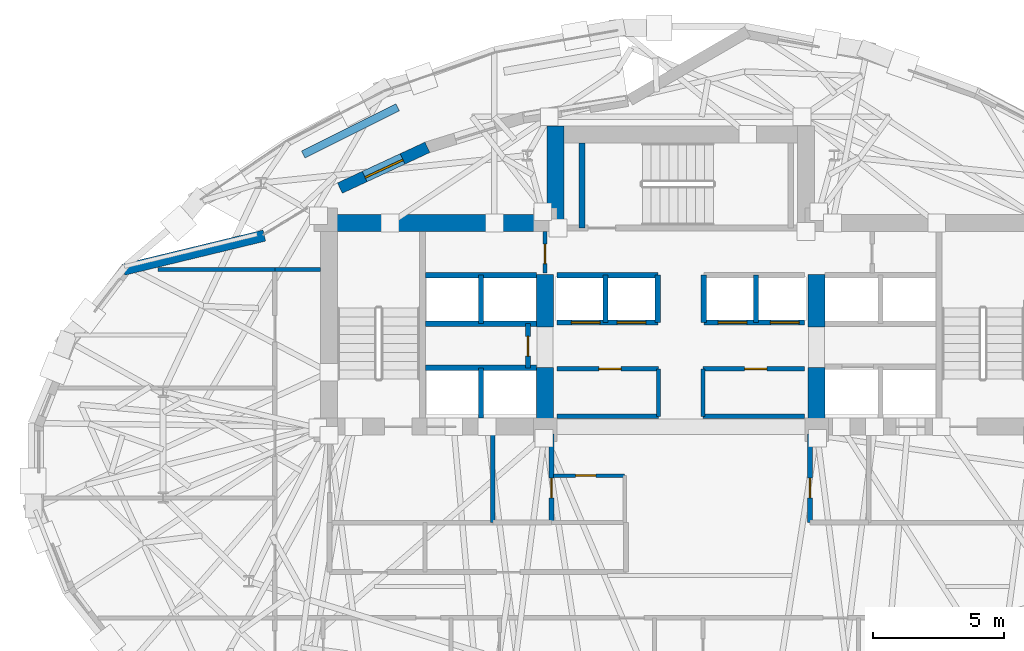
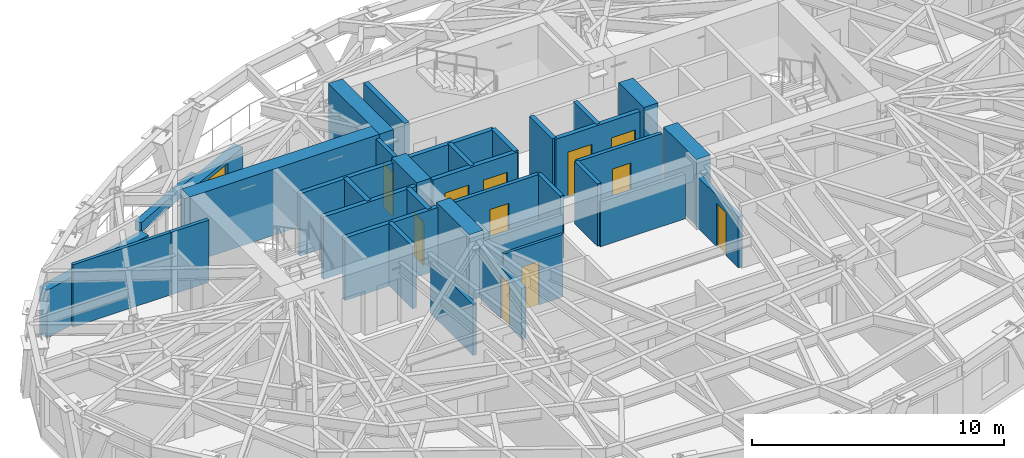
# One storey, part 8 of 14: 36 walls, 11 doors, 1 window, 12 openings.
"""IFC4 building model written with IfcOpenShell, lengths in metres."""

import ifcopenshell
import ifcopenshell.guid

model = None  # the IFC model being written
_history = None  # IfcOwnerHistory: only IFC2X3 demands one
_inside = {}  # id of a spatial element -> (the spatial element, [elements in it])
_under = {}  # id of a project, library or spatial element -> (it, [spatial elements below it])
_declared = {}  # id of a project -> (the project, [libraries it declares])
_typed = {}  # id of a type object -> (the type object, [elements of that type])
_made_of = {}  # id of a material, layer set ... -> (it, [elements and type objects made of it])


def new_model(schema):
    """Start an empty IFC model of exactly this schema.

    Asked for "IFC4X3", IfcOpenShell would pick the latest addendum, in which some entities
    have other attributes; the version numbers below select the first issue.
    IFC2X3 requires an IfcOwnerHistory on every rooted entity: one is made here for all.
    """
    global model, _history
    if schema == "IFC4X3":
        model = ifcopenshell.file(schema_version=(4, 3, 0, 0))
    else:
        model = ifcopenshell.file(schema=schema)
    _inside.clear()
    _under.clear()
    _declared.clear()
    _typed.clear()
    _made_of.clear()
    _history = None
    if model.schema == "IFC2X3":
        org = make("IfcOrganization", Name="unknown")
        user = make(
            "IfcPersonAndOrganization",
            ThePerson=make("IfcPerson", FamilyName="unknown"),
            TheOrganization=org,
        )
        app = make(
            "IfcApplication",
            ApplicationDeveloper=org,
            Version="unknown",
            ApplicationFullName="unknown",
            ApplicationIdentifier="unknown",
        )
        _history = make(
            "IfcOwnerHistory",
            OwningUser=user,
            OwningApplication=app,
            ChangeAction="ADDED",
            CreationDate=0,
        )
    return model


def make(cls, **values):
    """One entity of the class cls with the attributes given. An attribute that is None is left unset."""
    return model.create_entity(
        cls, **{name: value for name, value in values.items() if value is not None}
    )


def rooted(cls, **values):
    """An entity with a GlobalId (a new one), such as an element, a storey or a relation."""
    return make(cls, GlobalId=ifcopenshell.guid.new(), OwnerHistory=_history, **values)


def si_unit(unit_type, name, prefix=None):
    """IfcSIUnit, for example si_unit("LENGTHUNIT", "METRE", prefix="MILLI")."""
    return make("IfcSIUnit", UnitType=unit_type, Prefix=prefix, Name=name)


def assignment(units):
    """IfcUnitAssignment: the units of a project."""
    return None if units is None else make("IfcUnitAssignment", Units=units)


def point(xyz):
    """IfcCartesianPoint."""
    return None if xyz is None else make("IfcCartesianPoint", Coordinates=xyz)


def direction(xyz):
    """IfcDirection."""
    return None if xyz is None else make("IfcDirection", DirectionRatios=xyz)


def frame(location, z_axis=None, x_axis=None):
    """IfcAxis2Placement3D, a coordinate frame: its origin and axes. An axis left out is left unset."""
    return make(
        "IfcAxis2Placement3D",
        Location=point(location),
        Axis=direction(z_axis),
        RefDirection=direction(x_axis),
    )


def frame_2d(location, x_axis=None):
    """IfcAxis2Placement2D, a coordinate frame in the plane: its origin and x axis."""
    return make(
        "IfcAxis2Placement2D", Location=point(location), RefDirection=direction(x_axis)
    )


def origin():
    """The frame at (0, 0, 0) with its axes left unset."""
    return frame((0.0, 0.0, 0.0))


def place(relative_to, where):
    """IfcLocalPlacement: puts the frame where relative to a parent placement (None: the world)."""
    return make(
        "IfcLocalPlacement", PlacementRelTo=relative_to, RelativePlacement=where
    )


def context(
    kind, dimensions, precision=None, world=None, true_north=None, identifier=None
):
    """IfcGeometricRepresentationContext, for example the 3D "Model" context."""
    return make(
        "IfcGeometricRepresentationContext",
        ContextIdentifier=identifier,
        ContextType=kind,
        CoordinateSpaceDimension=dimensions,
        Precision=precision,
        WorldCoordinateSystem=world,
        TrueNorth=true_north,
    )


def subcontext(parent, identifier, kind, view, scale=None):
    """IfcGeometricRepresentationSubContext, for example "Body" below "Model"."""
    return make(
        "IfcGeometricRepresentationSubContext",
        ContextIdentifier=identifier,
        ContextType=kind,
        ParentContext=parent,
        TargetScale=scale,
        TargetView=view,
    )


def project(units=None, contexts=None):
    """IfcProject with its units and contexts."""
    return rooted(
        "IfcProject",
        Name="project",
        RepresentationContexts=contexts,
        UnitsInContext=assignment(units),
    )


def spatial(cls, under=None, at=None, **own):
    """A site, building, storey or space (cls), placed at a placement, below another one or the project."""
    s = rooted(cls, ObjectPlacement=at, **own)
    if under is not None:
        _under.setdefault(under.id(), (under, []))[1].append(s)
    return s


def profile(cls, at=None, kind="AREA", **sizes):
    """A parametric profile (cls). Its sizes go by their IFC names, for example OverallWidth=200.0."""
    return make(cls, ProfileType=kind, Position=at, **sizes)


def rectangle(**sizes):
    """IfcRectangleProfileDef."""
    return profile("IfcRectangleProfileDef", **sizes)


def extrude(swept, where, along, depth):
    """IfcExtrudedAreaSolid: the profile swept, set in the frame where, extruded along a direction by depth."""
    return make(
        "IfcExtrudedAreaSolid",
        SweptArea=swept,
        Position=where,
        ExtrudedDirection=direction(along),
        Depth=depth,
    )


def shape(context_of_items, identifier, shape_type, items):
    """IfcShapeRepresentation: the items that make up one representation, for example the "Body"."""
    return make(
        "IfcShapeRepresentation",
        ContextOfItems=context_of_items,
        RepresentationIdentifier=identifier,
        RepresentationType=shape_type,
        Items=items,
    )


def material(Name=None, Category=None):
    """IfcMaterial."""
    return make("IfcMaterial", Name=Name, Category=Category)


def layer(
    of_material, thickness, ventilated=None, Name=None, Category=None, Priority=None
):
    """IfcMaterialLayer: one layer of a wall or slab, of a material (None: an air gap)."""
    return make(
        "IfcMaterialLayer",
        Material=of_material,
        LayerThickness=thickness,
        IsVentilated=ventilated,
        Name=Name,
        Category=Category,
        Priority=Priority,
    )


def layer_set(layers, Name=None):
    """IfcMaterialLayerSet."""
    return make("IfcMaterialLayerSet", MaterialLayers=layers, LayerSetName=Name)


def made_of(thing, what):
    """Note that an element or type object is made of a material, layer set ...; save() writes the relation."""
    if what is not None:
        _made_of.setdefault(what.id(), (what, []))[1].append(thing)
    return thing


def type_object(cls, material=None, **own):
    """A type object (cls), such as IfcWallType, which elements share."""
    return made_of(rooted(cls, **own), material)


def element(
    cls,
    number,
    at=None,
    inside=None,
    cuts=None,
    type_object=None,
    material=None,
    context=None,
    identifier="Body",
    shape_type=None,
    held_by="IfcProductDefinitionShape",
    body=None,
    shapes=None,
    **own,
):
    """One element of the class cls, such as IfcWall. Its Tag is "e" and its number.

    at: its placement. inside: the storey or other place that contains it. cuts: it is an
    opening in that element (IfcRelVoidsElement). A single representation is given by context,
    identifier, shape_type and body (its items); several are given by shapes. held_by: the class
    of the entity that holds the representations. save() writes the other relations.
    """
    e = rooted(cls, Tag="e%d" % number, ObjectPlacement=at, **own)
    if body is not None:
        shapes = [shape(context, identifier, shape_type, body)]
    if shapes is not None:
        e.Representation = make(held_by, Representations=shapes)
    if inside is not None:
        _inside.setdefault(inside.id(), (inside, []))[1].append(e)
    if cuts is not None:
        rooted(
            "IfcRelVoidsElement", RelatingBuildingElement=cuts, RelatedOpeningElement=e
        )
    if type_object is not None:
        _typed.setdefault(type_object.id(), (type_object, []))[1].append(e)
    return made_of(e, material)


def fill(opening, filler):
    """IfcRelFillsElement: the door or window that sits in an opening."""
    return rooted(
        "IfcRelFillsElement",
        RelatingOpeningElement=opening,
        RelatedBuildingElement=filler,
    )


def aggregate(whole, parts):
    """IfcRelAggregates: a whole, such as a stair, and the parts it consists of."""
    return rooted("IfcRelAggregates", RelatingObject=whole, RelatedObjects=parts)


def save(model, path):
    """Write the relations noted so far, then the file.

    IfcRelAggregates (storeys below a building ...), IfcRelContainedInSpatialStructure (elements
    in a storey), IfcRelDefinesByType, IfcRelAssociatesMaterial and IfcRelDeclares: one each for
    every whole, place, type object, material and project.
    """
    for whole, parts in _under.values():
        aggregate(whole, parts)
    for where, things in _inside.values():
        rooted(
            "IfcRelContainedInSpatialStructure",
            RelatedElements=things,
            RelatingStructure=where,
        )
    for kind, things in _typed.values():
        rooted("IfcRelDefinesByType", RelatedObjects=things, RelatingType=kind)
    for what, things in _made_of.values():
        rooted("IfcRelAssociatesMaterial", RelatedObjects=things, RelatingMaterial=what)
    for by, libraries in _declared.values():
        rooted("IfcRelDeclares", RelatingContext=by, RelatedDefinitions=libraries)
    model.write(path)


model = new_model("IFC4")

# Units and contexts
model_context = context("Model", 3, precision=1e-05, world=origin(), true_north=direction((0.0, 1.0)))
body_context = subcontext(model_context, "Body", "Model", "MODEL_VIEW")
ifc_project = project(units=[si_unit("LENGTHUNIT", "METRE"), si_unit("AREAUNIT", "SQUARE_METRE"), si_unit("VOLUMEUNIT", "CUBIC_METRE"), si_unit("PLANEANGLEUNIT", "RADIAN"), si_unit("MASSUNIT", "GRAM", prefix="KILO")], contexts=[model_context])

# Site, building, storey
site_placement = place(None, origin())
site = spatial("IfcSite", under=ifc_project, at=site_placement, CompositionType="ELEMENT")
building_placement = place(site_placement, origin())
building = spatial("IfcBuilding", under=site, at=building_placement, Name="Keldmark Tower", CompositionType="ELEMENT")
storey_placement = place(building_placement, frame((0.0, 0.0, 175.800048828125)))
storey = spatial("IfcBuildingStorey", under=building, at=storey_placement, Name="L48", CompositionType="ELEMENT", Elevation=175.800048828125)

# Wall, opening, door
ifc_material_1 = material(Name="Acoustic Gypsum Board Interior Partition", Category="gypsum")
ifc_layer_1 = layer(ifc_material_1, 0.1298828125)
ifc_layer_set_1 = layer_set([ifc_layer_1], Name="Acoustic Gypsum Board Interior Partition")
wall_type_1 = type_object("IfcWallType", Name="Interior Partition 130 mm", PredefinedType="PARTITIONING", material=ifc_layer_set_1)
wall_1_placement = place(storey_placement, frame((-4.8798828125, -0.35009765625, 0.0), z_axis=(0.0, 0.0, 1.0), x_axis=(1.0, 0.0, 0.0)))
wall_1 = element("IfcWall", 1, at=wall_1_placement, inside=storey, type_object=wall_type_1, Name="L48 Interior Partition 130 mm CSC-W-N", PredefinedType="PARTITIONING", context=body_context, shape_type="SweptSolid", body=[
    extrude(rectangle(XDim=2.72998046875, YDim=0.1298828125, at=frame_2d((1.364990234375, 0.0))), origin(), (0.0, 0.0, 1.0), 3.02001953125),
])
opening_1_placement = place(wall_1_placement, frame((0.85009765625, 0.0, 0.0)))
opening_1 = element("IfcOpeningElement", 2, at=opening_1_placement, cuts=wall_1, Name="Opening D-CL078", PredefinedType="OPENING", context=body_context, shape_type="SweptSolid", body=[
    extrude(rectangle(XDim=0.780029296875, YDim=2.10009765625, at=frame_2d((0.39013671875, 1.050048828125))), frame((0.0, 0.074951171875, 0.0), z_axis=(0.0, -1.0, 0.0), x_axis=(1.0, 0.0, 0.0)), (0.0, 0.0, 1.0), 0.14990234375),
])
ifc_material_2 = material(Name="Flush Utility Closet Timber Door", Category="wood")
door_type_1 = type_object("IfcDoorType", Name="Closet Door 780x2100", OperationType="NOTDEFINED", PredefinedType="DOOR", material=ifc_material_2)
door_1_placement = place(opening_1_placement, origin())
door_1 = element("IfcDoor", 3, at=door_1_placement, inside=storey, type_object=door_type_1, Name="L48 Closet Door 780x2100 D-CSCW1-L48", OperationType="SINGLE_SWING_LEFT", OverallHeight=2.10009765625, OverallWidth=0.780029296875, PredefinedType="DOOR", context=body_context, shape_type="SweptSolid", body=[
    extrude(rectangle(XDim=0.780029296875, YDim=2.10009765625, at=frame_2d((0.39013671875, 1.050048828125))), frame((0.0, 0.02490234375, 0.0), z_axis=(0.0, -1.0, 0.0), x_axis=(1.0, 0.0, 0.0)), (0.0, 0.0, 1.0), 0.050048828125),
])
fill(opening_1, door_1)

# Walls
ifc_material_3 = material(Name="Type X Fire-Rated Gypsum Partition Assembly", Category="gypsum")
ifc_layer_2 = layer(ifc_material_3, 0.1650390625)
ifc_layer_set_2 = layer_set([ifc_layer_2], Name="Type X Fire-Rated Gypsum Partition Assembly")
wall_type_2 = type_object("IfcWallType", Name="Rated Partition 165 mm", PredefinedType="PARTITIONING", material=ifc_layer_set_2)
wall_2_placement = place(storey_placement, frame((-7.199951171875, -2.14990234375, 0.0), z_axis=(0.0, 0.0, 1.0), x_axis=(0.0, 1.0, 0.0)))
element("IfcWall", 4, at=wall_2_placement, inside=storey, type_object=wall_type_2, Name="L48 Rated Partition 165 mm FSAE-W-E", PredefinedType="PARTITIONING", context=body_context, shape_type="SweptSolid", body=[
    extrude(rectangle(XDim=3.39990234375, YDim=0.1650390625, at=frame_2d((1.699951171875, 0.0))), origin(), (0.0, 0.0, 1.0), 2.472900390625),
])
wall_3_placement = place(storey_placement, frame((-4.739990234375, 1.919921875, 0.0), z_axis=(0.0, 0.0, 1.0), x_axis=(1.0, 0.0, 0.0)))
element("IfcWall", 5, at=wall_3_placement, inside=storey, type_object=wall_type_2, Name="L48 Rated Partition 165 mm REC-LW-S", PredefinedType="PARTITIONING", context=body_context, shape_type="SweptSolid", body=[
    extrude(rectangle(XDim=3.889892578125, YDim=0.1650390625, at=frame_2d((1.94482421875, 0.0))), origin(), (0.0, 0.0, 1.0), 2.159912109375),
])

# Wall, opening, door
wall_4_placement = place(storey_placement, frame((-4.739990234375, 3.739990234375, 0.0), z_axis=(0.0, 0.0, 1.0), x_axis=(1.0, 0.0, 0.0)))
wall_4 = element("IfcWall", 6, at=wall_4_placement, inside=storey, type_object=wall_type_2, Name="L48 Rated Partition 165 mm REC-LW-N", PredefinedType="PARTITIONING", context=body_context, shape_type="SweptSolid", body=[
    extrude(rectangle(XDim=3.889892578125, YDim=0.1650390625, at=frame_2d((1.94482421875, 0.0))), origin(), (0.0, 0.0, 1.0), 3.02001953125),
])
opening_2_placement = place(wall_4_placement, frame((1.60009765625, 0.0, 0.0)))
opening_2 = element("IfcOpeningElement", 7, at=opening_2_placement, cuts=wall_4, Name="Opening D-SV085", PredefinedType="OPENING", context=body_context, shape_type="SweptSolid", body=[
    extrude(rectangle(XDim=0.85009765625, YDim=2.10009765625, at=frame_2d((0.425048828125, 1.050048828125))), frame((0.0, 0.092529296875, 0.0), z_axis=(0.0, -1.0, 0.0), x_axis=(1.0, 0.0, 0.0)), (0.0, 0.0, 1.0), 0.18505859375),
])
ifc_material_4 = material(Name="Painted Hollow Metal Door Assembly", Category="metal")
door_type_2 = type_object("IfcDoorType", Name="Service Door 850x2100", OperationType="NOTDEFINED", PredefinedType="DOOR", material=ifc_material_4)
door_2_placement = place(opening_2_placement, origin())
door_2 = element("IfcDoor", 8, at=door_2_placement, inside=storey, type_object=door_type_2, Name="L48 Service Door 850x2100 D-RECLW1-L48", OperationType="SINGLE_SWING_LEFT", OverallHeight=2.10009765625, OverallWidth=0.85009765625, PredefinedType="DOOR", context=body_context, shape_type="SweptSolid", body=[
    extrude(rectangle(XDim=0.85009765625, YDim=2.10009765625, at=frame_2d((0.425048828125, 1.050048828125))), frame((0.0, 0.02490234375, 0.0), z_axis=(0.0, -1.0, 0.0), x_axis=(1.0, 0.0, 0.0)), (0.0, 0.0, 1.0), 0.050048828125),
])
fill(opening_2, door_2)

# Walls
wall_5_placement = place(storey_placement, frame((-0.85009765625, 1.919921875, 0.0), z_axis=(0.0, 0.0, 1.0), x_axis=(0.0, 1.0, 0.0)))
element("IfcWall", 9, at=wall_5_placement, inside=storey, type_object=wall_type_2, Name="L48 Rated Partition 165 mm REC-LW-E", PredefinedType="PARTITIONING", context=body_context, shape_type="SweptSolid", body=[
    extrude(rectangle(XDim=1.820068359375, YDim=0.1650390625, at=frame_2d((0.91015625, 0.0))), origin(), (0.0, 0.0, 1.0), 3.02001953125),
])
wall_6_placement = place(storey_placement, frame((0.85009765625, 1.919921875, 0.0), z_axis=(0.0, 0.0, 1.0), x_axis=(1.0, 0.0, 0.0)))
element("IfcWall", 10, at=wall_6_placement, inside=storey, type_object=wall_type_2, Name="L48 Rated Partition 165 mm REC-LE-S", PredefinedType="PARTITIONING", context=body_context, shape_type="SweptSolid", body=[
    extrude(rectangle(XDim=3.889892578125, YDim=0.1650390625, at=frame_2d((1.94482421875, 0.0))), origin(), (0.0, 0.0, 1.0), 2.159912109375),
])

# Wall, opening, door
wall_7_placement = place(storey_placement, frame((0.85009765625, 3.739990234375, 0.0), z_axis=(0.0, 0.0, 1.0), x_axis=(1.0, 0.0, 0.0)))
wall_7 = element("IfcWall", 11, at=wall_7_placement, inside=storey, type_object=wall_type_2, Name="L48 Rated Partition 165 mm REC-LE-N", PredefinedType="PARTITIONING", context=body_context, shape_type="SweptSolid", body=[
    extrude(rectangle(XDim=3.889892578125, YDim=0.1650390625, at=frame_2d((1.94482421875, 0.0))), origin(), (0.0, 0.0, 1.0), 3.02001953125),
])
opening_3_placement = place(wall_7_placement, frame((1.60009765625, 0.0, 0.0)))
opening_3 = element("IfcOpeningElement", 12, at=opening_3_placement, cuts=wall_7, Name="Opening D-SV085", PredefinedType="OPENING", context=body_context, shape_type="SweptSolid", body=[
    extrude(rectangle(XDim=0.85009765625, YDim=2.10009765625, at=frame_2d((0.425048828125, 1.050048828125))), frame((0.0, 0.092529296875, 0.0), z_axis=(0.0, -1.0, 0.0), x_axis=(1.0, 0.0, 0.0)), (0.0, 0.0, 1.0), 0.18505859375),
])
door_3_placement = place(opening_3_placement, origin())
door_3 = element("IfcDoor", 13, at=door_3_placement, inside=storey, type_object=door_type_2, Name="L48 Service Door 850x2100 D-RECLE1-L48", OperationType="SINGLE_SWING_RIGHT", OverallHeight=2.10009765625, OverallWidth=0.85009765625, PredefinedType="DOOR", context=body_context, shape_type="SweptSolid", body=[
    extrude(rectangle(XDim=0.85009765625, YDim=2.10009765625, at=frame_2d((0.425048828125, 1.050048828125))), frame((0.0, 0.02490234375, 0.0), z_axis=(0.0, -1.0, 0.0), x_axis=(1.0, 0.0, 0.0)), (0.0, 0.0, 1.0), 0.050048828125),
])
fill(opening_3, door_3)

# Wall
wall_8_placement = place(storey_placement, frame((0.85009765625, 1.919921875, 0.0), z_axis=(0.0, 0.0, 1.0), x_axis=(0.0, 1.0, 0.0)))
element("IfcWall", 14, at=wall_8_placement, inside=storey, type_object=wall_type_2, Name="L48 Rated Partition 165 mm REC-LE-W", PredefinedType="PARTITIONING", context=body_context, shape_type="SweptSolid", body=[
    extrude(rectangle(XDim=1.820068359375, YDim=0.1650390625, at=frame_2d((0.91015625, 0.0))), origin(), (0.0, 0.0, 1.0), 3.02001953125),
])

# Wall, opening, door
wall_9_placement = place(storey_placement, frame((-5.199951171875, 7.419921875, 0.0), z_axis=(0.0, 0.0, 1.0), x_axis=(0.0, 1.0, 0.0)))
wall_9 = element("IfcWall", 15, at=wall_9_placement, inside=storey, type_object=wall_type_2, Name="L48 Rated Partition 165 mm CS-NW-E", PredefinedType="PARTITIONING", context=body_context, shape_type="SweptSolid", body=[
    extrude(rectangle(XDim=1.580078125, YDim=0.1650390625, at=frame_2d((0.7900390625, 0.0))), origin(), (0.0, 0.0, 1.0), 3.02001953125),
])
opening_4_placement = place(wall_9_placement, frame((0.35009765625, 0.0, 0.0)))
opening_4 = element("IfcOpeningElement", 16, at=opening_4_placement, cuts=wall_9, Name="Opening D-RS075", PredefinedType="OPENING", context=body_context, shape_type="SweptSolid", body=[
    extrude(rectangle(XDim=0.75, YDim=2.10009765625, at=frame_2d((0.375, 1.050048828125))), frame((0.0, 0.092529296875, 0.0), z_axis=(0.0, -1.0, 0.0), x_axis=(1.0, 0.0, 0.0)), (0.0, 0.0, 1.0), 0.18505859375),
])
ifc_material_5 = material(Name="Galvanized Fire-Rated Access Leaf", Category="metal")
door_type_3 = type_object("IfcDoorType", Name="Riser Access Door 750x2100", OperationType="NOTDEFINED", PredefinedType="DOOR", material=ifc_material_5)
door_4_placement = place(opening_4_placement, origin())
door_4 = element("IfcDoor", 17, at=door_4_placement, inside=storey, type_object=door_type_3, Name="L48 Riser Access Door 750x2100 D-CSNW1-L48", OperationType="SINGLE_SWING_LEFT", OverallHeight=2.10009765625, OverallWidth=0.75, PredefinedType="DOOR", context=body_context, shape_type="SweptSolid", body=[
    extrude(rectangle(XDim=0.75, YDim=2.10009765625, at=frame_2d((0.375, 1.050048828125))), frame((0.0, 0.02490234375, 0.0), z_axis=(0.0, -1.0, 0.0), x_axis=(1.0, 0.0, 0.0)), (0.0, 0.0, 1.0), 0.050048828125),
])
fill(opening_4, door_4)

# Wall
wall_10_placement = place(storey_placement, frame((-15.550048828125, 7.550048828125, 0.0), z_axis=(0.0, 0.0, 1.0), x_axis=(1.0, 0.0, 0.0)))
element("IfcWall", 18, at=wall_10_placement, inside=storey, type_object=wall_type_2, Name="L48 Rated Partition 165 mm HCOR-WN", PredefinedType="PARTITIONING", context=body_context, shape_type="SweptSolid", body=[
    extrude(rectangle(XDim=1.75, YDim=0.1650390625, at=frame_2d((0.875, 0.0))), origin(), (0.0, 0.0, 1.0), 3.02001953125),
])

# Wall, opening, door
ifc_material_6 = material(Name="Fire-Resistant Type X Gypsum Shaftliner Coreboard", Category="gypsum")
ifc_layer_3 = layer(ifc_material_6, 0.199951171875)
ifc_layer_set_3 = layer_set([ifc_layer_3], Name="Fire-Resistant Type X Gypsum Shaftliner Coreboard")
wall_type_3 = type_object("IfcWallType", Name="Shaft Wall 200 mm", PredefinedType="SOLIDWALL", material=ifc_layer_set_3)
wall_11_placement = place(storey_placement, frame((-4.949951171875, -2.14990234375, 0.0), z_axis=(0.0, 0.0, 1.0), x_axis=(0.0, 1.0, 0.0)))
wall_11 = element("IfcWall", 19, at=wall_11_placement, inside=storey, type_object=wall_type_3, Name="L48 Shaft Wall 200 mm RIS-SW-E", PredefinedType="SOLIDWALL", context=body_context, shape_type="SweptSolid", body=[
    extrude(rectangle(XDim=3.39990234375, YDim=0.199951171875, at=frame_2d((1.699951171875, 0.0))), origin(), (0.0, 0.0, 1.0), 2.472900390625),
])
opening_5_placement = place(wall_11_placement, frame((0.949951171875, 0.0, 0.0)))
opening_5 = element("IfcOpeningElement", 20, at=opening_5_placement, cuts=wall_11, Name="Opening D-RS075", PredefinedType="OPENING", context=body_context, shape_type="SweptSolid", body=[
    extrude(rectangle(XDim=0.75, YDim=2.10009765625, at=frame_2d((0.375, 1.050048828125))), frame((0.0, 0.10986328125, 0.0), z_axis=(0.0, -1.0, 0.0), x_axis=(1.0, 0.0, 0.0)), (0.0, 0.0, 1.0), 0.219970703125),
])
door_5_placement = place(opening_5_placement, origin())
door_5 = element("IfcDoor", 21, at=door_5_placement, inside=storey, type_object=door_type_3, Name="L48 Riser Access Door 750x2100 D-RISSW-L48", OperationType="SINGLE_SWING_RIGHT", OverallHeight=2.10009765625, OverallWidth=0.75, PredefinedType="DOOR", context=body_context, shape_type="SweptSolid", body=[
    extrude(rectangle(XDim=0.75, YDim=2.10009765625, at=frame_2d((0.375, 1.050048828125))), frame((0.0, 0.02490234375, 0.0), z_axis=(0.0, -1.0, 0.0), x_axis=(1.0, 0.0, 0.0)), (0.0, 0.0, 1.0), 0.050048828125),
])
fill(opening_5, door_5)

wall_12_placement = place(storey_placement, frame((4.949951171875, -2.14990234375, 0.0), z_axis=(0.0, 0.0, 1.0), x_axis=(0.0, 1.0, 0.0)))
wall_12 = element("IfcWall", 22, at=wall_12_placement, inside=storey, type_object=wall_type_3, Name="L48 Shaft Wall 200 mm RIS-SE-W", PredefinedType="SOLIDWALL", context=body_context, shape_type="SweptSolid", body=[
    extrude(rectangle(XDim=3.39990234375, YDim=0.199951171875, at=frame_2d((1.699951171875, 0.0))), origin(), (0.0, 0.0, 1.0), 2.472900390625),
])
opening_6_placement = place(wall_12_placement, frame((0.949951171875, 0.0, 0.0)))
opening_6 = element("IfcOpeningElement", 23, at=opening_6_placement, cuts=wall_12, Name="Opening D-RS075", PredefinedType="OPENING", context=body_context, shape_type="SweptSolid", body=[
    extrude(rectangle(XDim=0.75, YDim=2.10009765625, at=frame_2d((0.375, 1.050048828125))), frame((0.0, 0.10986328125, 0.0), z_axis=(0.0, -1.0, 0.0), x_axis=(1.0, 0.0, 0.0)), (0.0, 0.0, 1.0), 0.219970703125),
])
door_6_placement = place(opening_6_placement, origin())
door_6 = element("IfcDoor", 24, at=door_6_placement, inside=storey, type_object=door_type_3, Name="L48 Riser Access Door 750x2100 D-RISSE-L48", OperationType="SINGLE_SWING_LEFT", OverallHeight=2.10009765625, OverallWidth=0.75, PredefinedType="DOOR", context=body_context, shape_type="SweptSolid", body=[
    extrude(rectangle(XDim=0.75, YDim=2.10009765625, at=frame_2d((0.375, 1.050048828125))), frame((0.0, 0.02490234375, 0.0), z_axis=(0.0, -1.0, 0.0), x_axis=(1.0, 0.0, 0.0)), (0.0, 0.0, 1.0), 0.050048828125),
])
fill(opening_6, door_6)

# Walls
wall_13_placement = place(storey_placement, frame((-9.780029296875, 3.780029296875, 0.0), z_axis=(0.0, 0.0, 1.0), x_axis=(1.0, 0.0, 0.0)))
element("IfcWall", 25, at=wall_13_placement, inside=storey, type_object=wall_type_3, Name="L48 Shaft Wall 200 mm HW-W-S", PredefinedType="SOLIDWALL", context=body_context, shape_type="SweptSolid", body=[
    extrude(rectangle(XDim=4.255126953125, YDim=0.199951171875, at=frame_2d((2.12744140625, 0.0))), origin(), (0.0, 0.0, 1.0), 3.02001953125),
])
wall_14_placement = place(storey_placement, frame((-7.64990234375, 1.85009765625, 0.0), z_axis=(0.0, 0.0, 1.0), x_axis=(0.0, 1.0, 0.0)))
element("IfcWall", 26, at=wall_14_placement, inside=storey, type_object=wall_type_3, Name="L48 Shaft Wall 200 mm HW-W-M", PredefinedType="SOLIDWALL", context=body_context, shape_type="SweptSolid", body=[
    extrude(rectangle(XDim=1.929931640625, YDim=0.199951171875, at=frame_2d((0.96484375, 0.0))), origin(), (0.0, 0.0, 1.0), 3.02001953125),
])
for number, where, z_axis, x_axis, name in (
    (27, (-9.780029296875, 5.469970703125, 0.0), (0.0, 0.0, 1.0), (1.0, 0.0, 0.0), "L48 Shaft Wall 200 mm HW-W-N"),
    (28, (-9.780029296875, 7.330078125, 0.0), (0.0, 0.0, 1.0), (1.0, 0.0, 0.0), "L48 Shaft Wall 200 mm HW-W-TOP"),
):
    element("IfcWall", number, at=place(storey_placement, frame(where, z_axis=z_axis, x_axis=x_axis)), inside=storey, type_object=wall_type_3, Name=name, PredefinedType="SOLIDWALL", context=body_context, shape_type="SweptSolid", body=[
        extrude(rectangle(XDim=4.255126953125, YDim=0.199951171875, at=frame_2d((2.12744140625, 0.0))), origin(), (0.0, 0.0, 1.0), 3.02001953125),
    ])
wall_15_placement = place(storey_placement, frame((-7.64990234375, 5.469970703125, 0.0), z_axis=(0.0, 0.0, 1.0), x_axis=(0.0, 1.0, 0.0)))
element("IfcWall", 29, at=wall_15_placement, inside=storey, type_object=wall_type_3, Name="L48 Shaft Wall 200 mm HW-W-NM", PredefinedType="SOLIDWALL", context=body_context, shape_type="SweptSolid", body=[
    extrude(rectangle(XDim=1.860107421875, YDim=0.199951171875, at=frame_2d((0.93017578125, 0.0))), origin(), (0.0, 0.0, 1.0), 3.02001953125),
])

# Wall, opening, door
wall_16_placement = place(storey_placement, frame((-5.85009765625, 3.780029296875, 0.0), z_axis=(0.0, 0.0, 1.0), x_axis=(0.0, 1.0, 0.0)))
wall_16 = element("IfcWall", 30, at=wall_16_placement, inside=storey, type_object=wall_type_3, Name="L48 Shaft Wall 200 mm HW-W-CLOSE", PredefinedType="SOLIDWALL", context=body_context, shape_type="SweptSolid", body=[
    extrude(rectangle(XDim=1.68994140625, YDim=0.199951171875, at=frame_2d((0.844970703125, 0.0))), origin(), (0.0, 0.0, 1.0), 3.02001953125),
])
opening_7_placement = place(wall_16_placement, frame((0.449951171875, 0.0, 0.0)))
opening_7 = element("IfcOpeningElement", 31, at=opening_7_placement, cuts=wall_16, Name="Opening D-RS075", PredefinedType="OPENING", context=body_context, shape_type="SweptSolid", body=[
    extrude(rectangle(XDim=0.75, YDim=2.10009765625, at=frame_2d((0.375, 1.050048828125))), frame((0.0, 0.10986328125, 0.0), z_axis=(0.0, -1.0, 0.0), x_axis=(1.0, 0.0, 0.0)), (0.0, 0.0, 1.0), 0.219970703125),
])
door_7_placement = place(opening_7_placement, origin())
door_7 = element("IfcDoor", 32, at=door_7_placement, inside=storey, type_object=door_type_3, Name="L48 Riser Access Door 750x2100 D-RISHW-L48", OperationType="SINGLE_SWING_RIGHT", OverallHeight=2.10009765625, OverallWidth=0.75, PredefinedType="DOOR", context=body_context, shape_type="SweptSolid", body=[
    extrude(rectangle(XDim=0.75, YDim=2.10009765625, at=frame_2d((0.375, 1.050048828125))), frame((0.0, 0.02490234375, 0.0), z_axis=(0.0, -1.0, 0.0), x_axis=(1.0, 0.0, 0.0)), (0.0, 0.0, 1.0), 0.050048828125),
])
fill(opening_7, door_7)

# Wall, openings, doors
wall_17_placement = place(storey_placement, frame((-4.739990234375, 5.52001953125, 0.0), z_axis=(0.0, 0.0, 1.0), x_axis=(1.0, 0.0, 0.0)))
wall_17 = element("IfcWall", 33, at=wall_17_placement, inside=storey, type_object=wall_type_3, Name="L48 Shaft Wall 200 mm MID-S-W", PredefinedType="SOLIDWALL", context=body_context, shape_type="SweptSolid", body=[
    extrude(rectangle(XDim=3.860107421875, YDim=0.199951171875, at=frame_2d((1.93017578125, 0.0))), origin(), (0.0, 0.0, 1.0), 3.02001953125),
])
opening_8_placement = place(wall_17_placement, frame((0.550048828125, 0.0, 0.0)))
opening_8 = element("IfcOpeningElement", 34, at=opening_8_placement, cuts=wall_17, Name="Opening LD-110", PredefinedType="OPENING", context=body_context, shape_type="SweptSolid", body=[
    extrude(rectangle(XDim=1.10009765625, YDim=2.199951171875, at=frame_2d((0.550048828125, 1.10009765625))), frame((0.0, 0.10986328125, 0.0), z_axis=(0.0, -1.0, 0.0), x_axis=(1.0, 0.0, 0.0)), (0.0, 0.0, 1.0), 0.219970703125),
])
opening_9_placement = place(wall_17_placement, frame((2.300048828125, 0.0, 0.0)))
opening_9 = element("IfcOpeningElement", 35, at=opening_9_placement, cuts=wall_17, Name="Opening LD-110", PredefinedType="OPENING", context=body_context, shape_type="SweptSolid", body=[
    extrude(rectangle(XDim=1.10009765625, YDim=2.199951171875, at=frame_2d((0.550048828125, 1.10009765625))), frame((0.0, 0.10986328125, 0.0), z_axis=(0.0, -1.0, 0.0), x_axis=(1.0, 0.0, 0.0)), (0.0, 0.0, 1.0), 0.219970703125),
])
ifc_material_7 = material(Name="Brushed Bronze Hoistway Sliding Leaf", Category="metal")
door_type_4 = type_object("IfcDoorType", Name="Lift Landing Sliding Door 1100x2200", OperationType="SLIDING_TO_LEFT", PredefinedType="DOOR", material=ifc_material_7)
door_8_placement = place(opening_8_placement, origin())
door_8 = element("IfcDoor", 36, at=door_8_placement, inside=storey, type_object=door_type_4, Name="L48 Lift Landing Sliding Door 1100x2200 LD-EL-M1-L48", OperationType="SLIDING_TO_LEFT", OverallHeight=2.199951171875, OverallWidth=1.10009765625, PredefinedType="DOOR", context=body_context, shape_type="SweptSolid", body=[
    extrude(rectangle(XDim=1.10009765625, YDim=2.199951171875, at=frame_2d((0.550048828125, 1.10009765625))), frame((0.0, 0.02490234375, 0.0), z_axis=(0.0, -1.0, 0.0), x_axis=(1.0, 0.0, 0.0)), (0.0, 0.0, 1.0), 0.050048828125),
])
fill(opening_8, door_8)
door_9_placement = place(opening_9_placement, origin())
door_9 = element("IfcDoor", 37, at=door_9_placement, inside=storey, type_object=door_type_4, Name="L48 Lift Landing Sliding Door 1100x2200 LD-EL-M2-L48", OperationType="SLIDING_TO_LEFT", OverallHeight=2.199951171875, OverallWidth=1.10009765625, PredefinedType="DOOR", context=body_context, shape_type="SweptSolid", body=[
    extrude(rectangle(XDim=1.10009765625, YDim=2.199951171875, at=frame_2d((0.550048828125, 1.10009765625))), frame((0.0, 0.02490234375, 0.0), z_axis=(0.0, -1.0, 0.0), x_axis=(1.0, 0.0, 0.0)), (0.0, 0.0, 1.0), 0.050048828125),
])
fill(opening_9, door_9)

wall_18_placement = place(storey_placement, frame((0.8798828125, 5.52001953125, 0.0), z_axis=(0.0, 0.0, 1.0), x_axis=(1.0, 0.0, 0.0)))
wall_18 = element("IfcWall", 38, at=wall_18_placement, inside=storey, type_object=wall_type_3, Name="L48 Shaft Wall 200 mm MID-S-E", PredefinedType="SOLIDWALL", context=body_context, shape_type="SweptSolid", body=[
    extrude(rectangle(XDim=3.860107421875, YDim=0.199951171875, at=frame_2d((1.93017578125, 0.0))), origin(), (0.0, 0.0, 1.0), 3.02001953125),
])
opening_10_placement = place(wall_18_placement, frame((0.550048828125, 0.0, 0.0)))
opening_10 = element("IfcOpeningElement", 39, at=opening_10_placement, cuts=wall_18, Name="Opening LD-110", PredefinedType="OPENING", context=body_context, shape_type="SweptSolid", body=[
    extrude(rectangle(XDim=1.10009765625, YDim=2.199951171875, at=frame_2d((0.550048828125, 1.10009765625))), frame((0.0, 0.10986328125, 0.0), z_axis=(0.0, -1.0, 0.0), x_axis=(1.0, 0.0, 0.0)), (0.0, 0.0, 1.0), 0.219970703125),
])
opening_11_placement = place(wall_18_placement, frame((2.550048828125, 0.0, 0.0)))
opening_11 = element("IfcOpeningElement", 40, at=opening_11_placement, cuts=wall_18, Name="Opening LD-110", PredefinedType="OPENING", context=body_context, shape_type="SweptSolid", body=[
    extrude(rectangle(XDim=1.10009765625, YDim=2.199951171875, at=frame_2d((0.550048828125, 1.10009765625))), frame((0.0, 0.10986328125, 0.0), z_axis=(0.0, -1.0, 0.0), x_axis=(1.0, 0.0, 0.0)), (0.0, 0.0, 1.0), 0.219970703125),
])
door_10_placement = place(opening_10_placement, origin())
door_10 = element("IfcDoor", 41, at=door_10_placement, inside=storey, type_object=door_type_4, Name="L48 Lift Landing Sliding Door 1100x2200 LD-EL-M3-L48", OperationType="SLIDING_TO_LEFT", OverallHeight=2.199951171875, OverallWidth=1.10009765625, PredefinedType="DOOR", context=body_context, shape_type="SweptSolid", body=[
    extrude(rectangle(XDim=1.10009765625, YDim=2.199951171875, at=frame_2d((0.550048828125, 1.10009765625))), frame((0.0, 0.02490234375, 0.0), z_axis=(0.0, -1.0, 0.0), x_axis=(1.0, 0.0, 0.0)), (0.0, 0.0, 1.0), 0.050048828125),
])
fill(opening_10, door_10)
door_11_placement = place(opening_11_placement, origin())
door_11 = element("IfcDoor", 42, at=door_11_placement, inside=storey, type_object=door_type_4, Name="L48 Lift Landing Sliding Door 1100x2200 LD-EL-M4-L48", OperationType="SLIDING_TO_LEFT", OverallHeight=2.199951171875, OverallWidth=1.10009765625, PredefinedType="DOOR", context=body_context, shape_type="SweptSolid", body=[
    extrude(rectangle(XDim=1.10009765625, YDim=2.199951171875, at=frame_2d((0.550048828125, 1.10009765625))), frame((0.0, 0.02490234375, 0.0), z_axis=(0.0, -1.0, 0.0), x_axis=(1.0, 0.0, 0.0)), (0.0, 0.0, 1.0), 0.050048828125),
])
fill(opening_11, door_11)

# Walls
wall_19_placement = place(storey_placement, frame((-4.739990234375, 7.330078125, 0.0), z_axis=(0.0, 0.0, 1.0), x_axis=(1.0, 0.0, 0.0)))
element("IfcWall", 43, at=wall_19_placement, inside=storey, type_object=wall_type_3, Name="L48 Shaft Wall 200 mm MID-N-W", PredefinedType="SOLIDWALL", context=body_context, shape_type="SweptSolid", body=[
    extrude(rectangle(XDim=3.860107421875, YDim=0.199951171875, at=frame_2d((1.93017578125, 0.0))), origin(), (0.0, 0.0, 1.0), 3.02001953125),
])
for number, where, z_axis, x_axis, name in (
    (44, (-2.8798828125, 5.52001953125, 0.0), (0.0, 0.0, 1.0), (0.0, 1.0, 0.0), "L48 Shaft Wall 200 mm MID-M-W"),
    (45, (2.8798828125, 5.52001953125, 0.0), (0.0, 0.0, 1.0), (0.0, 1.0, 0.0), "L48 Shaft Wall 200 mm MID-M-E"),
    (46, (-0.8798828125, 5.52001953125, 0.0), (0.0, 0.0, 1.0), (0.0, 1.0, 0.0), "L48 Shaft Wall 200 mm MID-C-W"),
    (47, (0.8798828125, 5.52001953125, 0.0), (0.0, 0.0, 1.0), (0.0, 1.0, 0.0), "L48 Shaft Wall 200 mm MID-C-E"),
):
    element("IfcWall", number, at=place(storey_placement, frame(where, z_axis=z_axis, x_axis=x_axis)), inside=storey, type_object=wall_type_3, Name=name, PredefinedType="SOLIDWALL", context=body_context, shape_type="SweptSolid", body=[
        extrude(rectangle(XDim=1.81005859375, YDim=0.199951171875, at=frame_2d((0.905029296875, 0.0))), origin(), (0.0, 0.0, 1.0), 3.02001953125),
    ])
ifc_material_8 = material(Name="Concrete C50/60", Category="concrete")
ifc_layer_4 = layer(ifc_material_8, 0.219970703125)
ifc_layer_set_4 = layer_set([ifc_layer_4], Name="Concrete C50/60")
wall_type_4 = type_object("IfcWallType", Name="Stair Core Shear Wall 220 mm", PredefinedType="SHEAR", material=ifc_layer_set_4)
wall_20_placement = place(storey_placement, frame((-3.784912109375, 9.139892578125, 0.0), z_axis=(0.0, 0.0, 1.0), x_axis=(0.0, 1.0, 0.0)))
element("IfcWall", 48, at=wall_20_placement, inside=storey, type_object=wall_type_4, Name="L48 Central Stair Core West Shear Wall", PredefinedType="SHEAR", context=body_context, shape_type="SweptSolid", body=[
    extrude(rectangle(XDim=3.260009765625, YDim=0.219970703125, at=frame_2d((1.6298828125, 0.0))), origin(), (0.0, 0.0, 1.0), 3.199951171875),
])
ifc_material_9 = material(Name="Ironspot Manganese Brick Planter Masonry", Category="masonry")
ifc_layer_5 = layer(ifc_material_9, 0.300048828125)
ifc_layer_set_5 = layer_set([ifc_layer_5], Name="Ironspot Manganese Brick Planter Masonry")
wall_type_5 = type_object("IfcWallType", Name="Terrace Brick Planter Kerb Wall 300 mm", PredefinedType="PARAPET", material=ifc_layer_set_5)
wall_21_placement = place(storey_placement, frame((-10.8505859375, 13.76123046875, 0.0), z_axis=(0.0, 0.0, 1.0), x_axis=(-0.893689237738, -0.448686467761, 0.0)))
element("IfcWall", 49, at=wall_21_placement, inside=storey, type_object=wall_type_5, Name="L48 Sky Garden Planter 03", PredefinedType="PARAPET", context=body_context, shape_type="SweptSolid", body=[
    extrude(rectangle(XDim=4.042724609375, YDim=0.300048828125, at=frame_2d((2.021484375, 0.0))), origin(), (0.0, 0.0, 1.0), 0.449951171875),
])

# Wall, opening, window
ifc_material_10 = material(Name="Ironspot Manganese Brick and Kasota Buff Limestone Spandrel Assembly", Category="masonry")
ifc_layer_6 = layer(ifc_material_10, 0.43994140625)
ifc_layer_set_6 = layer_set([ifc_layer_6], Name="Ironspot Manganese Brick and Kasota Buff Limestone Spandrel Assembly")
wall_type_6 = type_object("IfcWallType", Name="Tower Brick Pier and Spandrel Wall 440 mm", PredefinedType="STANDARD", material=ifc_layer_set_6)
wall_22_placement = place(storey_placement, frame((-13.06005859375, 10.665283203125, 0.0), z_axis=(0.0, 0.0, 1.0), x_axis=(0.906585542585, 0.422022101289, 0.0)))
wall_22 = element("IfcWall", 50, at=wall_22_placement, inside=storey, type_object=wall_type_6, Name="L48 Exterior Brick and Spandrel Wall 11", PredefinedType="STANDARD", context=body_context, shape_type="SweptSolid", body=[
    extrude(rectangle(XDim=3.70068359375, YDim=0.43994140625, at=frame_2d((1.850341796875, 0.0))), origin(), (0.0, 0.0, 1.0), 2.31884765625),
])
opening_12_placement = place(wall_22_placement, frame((1.05029296875, 0.0, 0.580078125)))
opening_12 = element("IfcOpeningElement", 51, at=opening_12_placement, cuts=wall_22, Name="Opening W-04", PredefinedType="OPENING", context=body_context, shape_type="SweptSolid", body=[
    extrude(rectangle(XDim=1.60009765625, YDim=1.550048828125, at=frame_2d((0.800048828125, 0.77490234375))), frame((0.0, 0.22998046875, 0.0), z_axis=(0.0, -1.0, 0.0), x_axis=(1.0, 0.0, 0.0)), (0.0, 0.0, 1.0), 0.4599609375),
])
ifc_material_11 = material(Name="Thermally Broken Anodized Aluminum and Triple Low-E Argon Glazing", Category="aluminium")
window_type = type_object("IfcWindowType", Name="Hotel Deep-Set Operable Window 1600x1550", PartitioningType="DOUBLE_PANEL_HORIZONTAL", PredefinedType="WINDOW", material=ifc_material_11)
window_placement = place(opening_12_placement, origin())
window = element("IfcWindow", 52, at=window_placement, inside=storey, type_object=window_type, Name="L48 Deep-Set Window 11", OverallHeight=1.550048828125, OverallWidth=1.60009765625, PartitioningType="SINGLE_PANEL", PredefinedType="WINDOW", context=body_context, shape_type="SweptSolid", body=[
    extrude(rectangle(XDim=1.60009765625, YDim=1.550048828125, at=frame_2d((0.800048828125, 0.77490234375))), frame((0.0, -0.010009765625, 0.0), z_axis=(0.0, -1.0, 0.0), x_axis=(1.0, 0.0, 0.0)), (0.0, 0.0, 1.0), 0.06005859375),
])
fill(opening_12, window)

# Walls
wall_23_placement = place(storey_placement, frame((-21.348388671875, 7.54052734375, 0.0), z_axis=(0.0, 0.0, 1.0), x_axis=(0.971921788119, 0.235304138891, 0.0)))
element("IfcWall", 53, at=wall_23_placement, inside=storey, type_object=wall_type_6, Name="L48 Exterior Brick and Spandrel Wall 13", PredefinedType="STANDARD", context=body_context, shape_type="SweptSolid", body=[
    extrude(rectangle(XDim=5.5498046875, YDim=0.43994140625, at=frame_2d((2.77490234375, 0.0))), origin(), (0.0, 0.0, 1.0), 2.31494140625),
])
ifc_material_12 = material(Name="Concrete C50/60", Category="concrete")
ifc_layer_7 = layer(ifc_material_12, 0.64990234375)
ifc_layer_set_7 = layer_set([ifc_layer_7], Name="Concrete C50/60")
wall_type_7 = type_object("IfcWallType", Name="Upper-Mid Core Shear Wall 650 mm", PredefinedType="SHEAR", material=ifc_layer_set_7)
wall_24_placement = place(storey_placement, frame((-13.800048828125, 9.324951171875, 0.0), z_axis=(0.0, 0.0, 1.0), x_axis=(1.0, 0.0, 0.0)))
element("IfcWall", 54, at=wall_24_placement, inside=storey, type_object=wall_type_7, Name="L48 West Core North Shear Wall", PredefinedType="SHEAR", context=body_context, shape_type="SweptSolid", body=[
    extrude(rectangle(XDim=9.324951171875, YDim=0.64990234375, at=frame_2d((4.66259765625, 0.0))), origin(), (0.0, 0.0, 1.0), 3.199951171875),
])
wall_25_placement = place(storey_placement, frame((-5.199951171875, 1.199951171875, 0.0), z_axis=(0.0, 0.0, 1.0), x_axis=(0.0, 1.0, 0.0)))
element("IfcWall", 55, at=wall_25_placement, inside=storey, type_object=wall_type_7, Name="L48 West Core Inner Shear Pier South", PredefinedType="SHEAR", context=body_context, shape_type="SweptSolid", body=[
    extrude(rectangle(XDim=2.60009765625, YDim=0.64990234375, at=frame_2d((1.300048828125, 0.0))), origin(), (0.0, 0.0, 1.0), 3.199951171875),
])
wall_26_placement = place(storey_placement, frame((-5.199951171875, 5.35009765625, 0.0), z_axis=(0.0, 0.0, 1.0), x_axis=(0.0, 1.0, 0.0)))
element("IfcWall", 56, at=wall_26_placement, inside=storey, type_object=wall_type_7, Name="L48 West Core Inner Shear Pier North", PredefinedType="SHEAR", context=body_context, shape_type="SweptSolid", body=[
    extrude(rectangle(XDim=2.0, YDim=0.64990234375, at=frame_2d((1.0, 0.0))), origin(), (0.0, 0.0, 1.0), 3.199951171875),
])
wall_27_placement = place(storey_placement, frame((5.199951171875, 1.199951171875, 0.0), z_axis=(0.0, 0.0, 1.0), x_axis=(0.0, 1.0, 0.0)))
element("IfcWall", 57, at=wall_27_placement, inside=storey, type_object=wall_type_7, Name="L48 East Core Inner Shear Pier South", PredefinedType="SHEAR", context=body_context, shape_type="SweptSolid", body=[
    extrude(rectangle(XDim=2.60009765625, YDim=0.64990234375, at=frame_2d((1.300048828125, 0.0))), origin(), (0.0, 0.0, 1.0), 3.199951171875),
])
wall_28_placement = place(storey_placement, frame((5.199951171875, 5.35009765625, 0.0), z_axis=(0.0, 0.0, 1.0), x_axis=(0.0, 1.0, 0.0)))
element("IfcWall", 58, at=wall_28_placement, inside=storey, type_object=wall_type_7, Name="L48 East Core Inner Shear Pier North", PredefinedType="SHEAR", context=body_context, shape_type="SweptSolid", body=[
    extrude(rectangle(XDim=2.0, YDim=0.64990234375, at=frame_2d((1.0, 0.0))), origin(), (0.0, 0.0, 1.0), 3.199951171875),
])
wall_29_placement = place(storey_placement, frame((-4.800048828125, 9.0, 0.0), z_axis=(0.0, 0.0, 1.0), x_axis=(0.0, 1.0, 0.0)))
element("IfcWall", 59, at=wall_29_placement, inside=storey, type_object=wall_type_7, Name="L48 North Core West Shear Wall", PredefinedType="SHEAR", context=body_context, shape_type="SweptSolid", body=[
    extrude(rectangle(XDim=4.050048828125, YDim=0.64990234375, at=frame_2d((2.02490234375, 0.0))), origin(), (0.0, 0.0, 1.0), 3.199951171875),
])
ifc_material_13 = material(Name="Moisture-Resistant Gypsum Plumbing Partition", Category="gypsum")
ifc_layer_8 = layer(ifc_material_13, 0.14990234375)
ifc_layer_set_8 = layer_set([ifc_layer_8], Name="Moisture-Resistant Gypsum Plumbing Partition")
wall_type_8 = type_object("IfcWallType", Name="Wet Wall 150 mm", PredefinedType="PLUMBINGWALL", material=ifc_layer_set_8)
wall_30_placement = place(storey_placement, frame((-20.021484375, 7.550048828125, 0.0), z_axis=(0.0, 0.0, 1.0), x_axis=(1.0, 0.0, 0.0)))
element("IfcWall", 60, at=wall_30_placement, inside=storey, type_object=wall_type_8, Name="L48 Wet Wall 150 mm HW-CAP-N", PredefinedType="PLUMBINGWALL", context=body_context, shape_type="SweptSolid", body=[
    extrude(rectangle(XDim=4.471435546875, YDim=0.14990234375, at=frame_2d((2.23583984375, 0.0))), origin(), (0.0, 0.0, 1.0), 3.02001953125),
])

save(model, "model.ifc")
